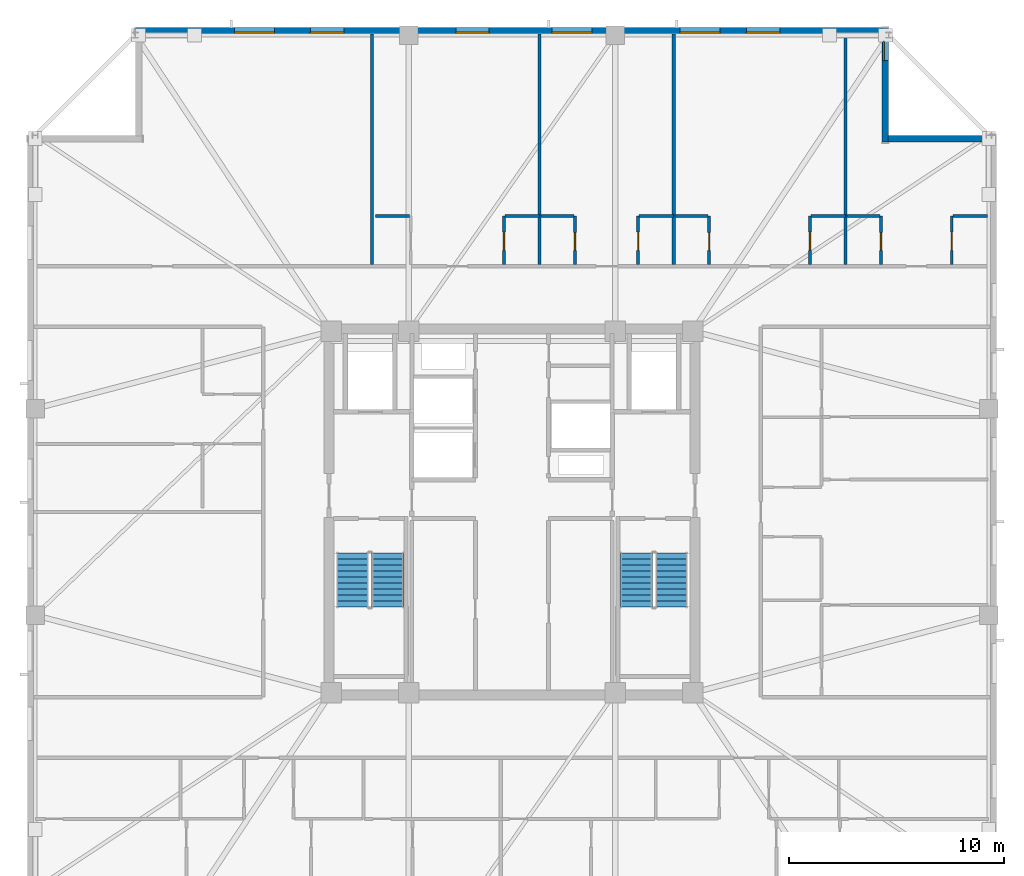
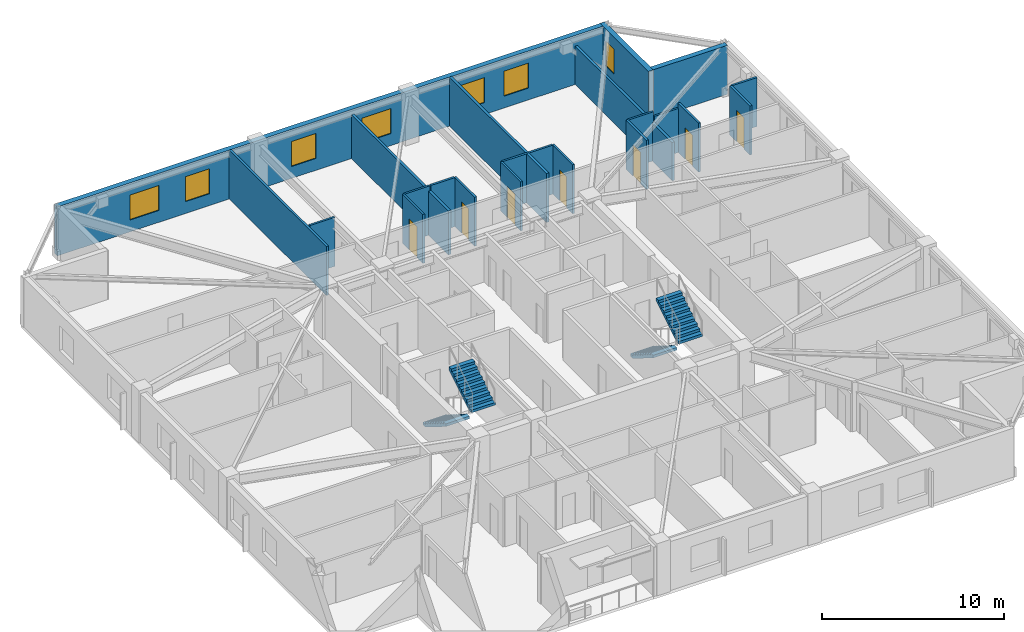
# One storey, part 11 of 15: 22 walls, 7 doors, 7 windows, 4 stair flights, 14 openings, 2 elements without a shape of their own.
"""IFC4 building model written with IfcOpenShell, lengths in metres."""

from ifc_helpers import new_model, si_unit, direction, frame, frame_2d, origin, place, context, subcontext, project, spatial, polyline, rectangle, outline, extrude, material, layer, layer_set, type_object, element, fill, aggregate, save


model = new_model("IFC4")

# Units and contexts
model_context = context("Model", 3, precision=1e-05, world=origin(), true_north=direction((0.0, 1.0)))
body_context = subcontext(model_context, "Body", "Model", "MODEL_VIEW")
ifc_project = project(units=[si_unit("LENGTHUNIT", "METRE"), si_unit("AREAUNIT", "SQUARE_METRE"), si_unit("VOLUMEUNIT", "CUBIC_METRE"), si_unit("PLANEANGLEUNIT", "RADIAN"), si_unit("MASSUNIT", "GRAM", prefix="KILO")], contexts=[model_context])

# Site, building, storey
site_placement = place(None, origin())
site = spatial("IfcSite", under=ifc_project, at=site_placement, CompositionType="ELEMENT")
building_placement = place(site_placement, origin())
building = spatial("IfcBuilding", under=site, at=building_placement, Name="Cairnveth Concourse Tower", CompositionType="ELEMENT")
storey_placement = place(building_placement, frame((0.0, 0.0, 265.5)))
storey = spatial("IfcBuildingStorey", under=building, at=storey_placement, Name="L73", CompositionType="ELEMENT", Elevation=265.5)

# Walls
ifc_material_1 = material(Name="Gypsum Plasterboard Partition", Category="gypsum")
ifc_layer_1 = layer(ifc_material_1, 0.159912109375)
ifc_layer_set_1 = layer_set([ifc_layer_1], Name="Gypsum Plasterboard Partition")
wall_type_1 = type_object("IfcWallType", Name="ACOUSTIC PARTY WALL 180", PredefinedType="PARTITIONING", material=ifc_layer_set_1)
wall_1_placement = place(storey_placement, frame((53.277587890625, 50.50244140625, 0.0), z_axis=(0.0, 0.0, 1.0), x_axis=(0.0, 1.0, 0.0)))
element("IfcWall", 1, at=wall_1_placement, inside=storey, type_object=wall_type_1, Name="Interior Wall IW-L73-070", PredefinedType="PARTITIONING", context=body_context, shape_type="SweptSolid", body=[
    extrude(rectangle(XDim=10.692626953125, YDim=0.159912109375, at=frame_2d((5.34619140625, 0.0))), origin(), (0.0, 0.0, 1.0), 2.9580078125),
])
wall_2_placement = place(storey_placement, frame((59.5048828125, 50.50244140625, 0.0), z_axis=(0.0, 0.0, 1.0), x_axis=(0.0, 1.0, 0.0)))
element("IfcWall", 2, at=wall_2_placement, inside=storey, type_object=wall_type_1, Name="Interior Wall IW-L73-075", PredefinedType="PARTITIONING", context=body_context, shape_type="SweptSolid", body=[
    extrude(rectangle(XDim=10.692626953125, YDim=0.159912109375, at=frame_2d((5.34619140625, 0.0))), origin(), (0.0, 0.0, 1.0), 3.2900390625),
])
wall_3_placement = place(storey_placement, frame((67.492431640625, 50.50244140625, 0.0), z_axis=(0.0, 0.0, 1.0), x_axis=(0.0, 1.0, 0.0)))
element("IfcWall", 3, at=wall_3_placement, inside=storey, type_object=wall_type_1, Name="Interior Wall IW-L73-080", PredefinedType="PARTITIONING", context=body_context, shape_type="SweptSolid", body=[
    extrude(rectangle(XDim=10.692626953125, YDim=0.159912109375, at=frame_2d((5.34619140625, 0.0))), origin(), (0.0, 0.0, 1.0), 2.572998046875),
])
ifc_layer_2 = layer(ifc_material_1, 0.139892578125)
ifc_layer_set_2 = layer_set([ifc_layer_2], Name="Gypsum Plasterboard Partition")
wall_type_2 = type_object("IfcWallType", Name="GYPSUM STUD PARTITION 140", PredefinedType="PARTITIONING", material=ifc_layer_set_2)
wall_4_placement = place(storey_placement, frame((45.5, 50.487548828125, 0.0), z_axis=(0.0, 0.0, 1.0), x_axis=(0.0, 1.0, 0.0)))
element("IfcWall", 4, at=wall_4_placement, inside=storey, type_object=wall_type_2, Name="Interior Wall IW-L73-065", PredefinedType="PARTITIONING", context=body_context, shape_type="SweptSolid", body=[
    extrude(rectangle(XDim=10.70751953125, YDim=0.139892578125, at=frame_2d((5.353759765625, 0.0))), origin(), (0.0, 0.0, 1.0), 3.2900390625),
])
ifc_layer_3 = layer(ifc_material_1, 0.1298828125)
ifc_layer_set_3 = layer_set([ifc_layer_3], Name="Gypsum Plasterboard Partition")
wall_type_3 = type_object("IfcWallType", Name="WET AREA PARTITION 140", PredefinedType="PLUMBINGWALL", material=ifc_layer_set_3)
wall_5_placement = place(storey_placement, frame((45.64990234375, 52.75244140625, 0.0), z_axis=(0.0, 0.0, 1.0), x_axis=(1.0, 0.0, 0.0)))
element("IfcWall", 5, at=wall_5_placement, inside=storey, type_object=wall_type_3, Name="Interior Wall IW-L73-067", PredefinedType="PLUMBINGWALL", context=body_context, shape_type="SweptSolid", body=[
    extrude(rectangle(XDim=1.60009765625, YDim=0.1298828125, at=frame_2d((0.800048828125, 0.0))), origin(), (0.0, 0.0, 1.0), 3.2900390625),
])

# Wall, opening, door
wall_6_placement = place(storey_placement, frame((51.62744140625, 50.50244140625, 0.0), z_axis=(0.0, 0.0, 1.0), x_axis=(0.0, 1.0, 0.0)))
wall_6 = element("IfcWall", 6, at=wall_6_placement, inside=storey, type_object=wall_type_3, Name="Interior Wall IW-L73-068", PredefinedType="PLUMBINGWALL", context=body_context, shape_type="SweptSolid", body=[
    extrude(rectangle(XDim=2.25, YDim=0.1298828125, at=frame_2d((1.125, 0.0))), origin(), (0.0, 0.0, 1.0), 3.2900390625),
])
opening_1_placement = place(wall_6_placement, frame((0.64990234375, 0.0, 0.0)))
opening_1 = element("IfcOpeningElement", 7, at=opening_1_placement, cuts=wall_6, Name="Opening ID20", PredefinedType="OPENING", context=body_context, shape_type="SweptSolid", body=[
    extrude(rectangle(XDim=0.85009765625, YDim=2.10009765625, at=frame_2d((0.425048828125, 1.050048828125))), frame((0.0, 0.074951171875, 0.0), z_axis=(0.0, -1.0, 0.0), x_axis=(1.0, 0.0, 0.0)), (0.0, 0.0, 1.0), 0.14990234375),
])
ifc_material_2 = material(Name="Solid Core Hardwood Timber Leaf", Category="wood")
door_type_1 = type_object("IfcDoorType", Name="INTERIOR SINGLE DOOR 850X2100", OperationType="NOTDEFINED", PredefinedType="DOOR", material=ifc_material_2)
door_1_placement = place(opening_1_placement, origin())
door_1 = element("IfcDoor", 8, at=door_1_placement, inside=storey, type_object=door_type_1, Name="L73STN1 Kitchen Door", OperationType="SINGLE_SWING_LEFT", OverallHeight=2.10009765625, OverallWidth=0.85009765625, PredefinedType="DOOR", context=body_context, shape_type="SweptSolid", body=[
    extrude(rectangle(XDim=0.85009765625, YDim=2.10009765625, at=frame_2d((0.425048828125, 1.050048828125))), frame((0.0, 0.02490234375, 0.0), z_axis=(0.0, -1.0, 0.0), x_axis=(1.0, 0.0, 0.0)), (0.0, 0.0, 1.0), 0.050048828125),
])
fill(opening_1, door_1)

# Wall
wall_7_placement = place(storey_placement, frame((51.677490234375, 52.75244140625, 0.0), z_axis=(0.0, 0.0, 1.0), x_axis=(1.0, 0.0, 0.0)))
element("IfcWall", 9, at=wall_7_placement, inside=storey, type_object=wall_type_3, Name="Interior Wall IW-L73-069", PredefinedType="PLUMBINGWALL", context=body_context, shape_type="SweptSolid", body=[
    extrude(rectangle(XDim=1.60009765625, YDim=0.1298828125, at=frame_2d((0.800048828125, 0.0))), origin(), (0.0, 0.0, 1.0), 3.2900390625),
])

# Wall, opening, door
wall_8_placement = place(storey_placement, frame((54.927490234375, 50.50244140625, 0.0), z_axis=(0.0, 0.0, 1.0), x_axis=(0.0, 1.0, 0.0)))
wall_8 = element("IfcWall", 10, at=wall_8_placement, inside=storey, type_object=wall_type_3, Name="Interior Wall IW-L73-071", PredefinedType="PLUMBINGWALL", context=body_context, shape_type="SweptSolid", body=[
    extrude(rectangle(XDim=2.25, YDim=0.1298828125, at=frame_2d((1.125, 0.0))), origin(), (0.0, 0.0, 1.0), 3.2900390625),
])
opening_2_placement = place(wall_8_placement, frame((0.64990234375, 0.0, 0.0)))
opening_2 = element("IfcOpeningElement", 11, at=opening_2_placement, cuts=wall_8, Name="Opening ID22", PredefinedType="OPENING", context=body_context, shape_type="SweptSolid", body=[
    extrude(rectangle(XDim=0.820068359375, YDim=2.10009765625, at=frame_2d((0.41015625, 1.050048828125))), frame((0.0, 0.074951171875, 0.0), z_axis=(0.0, -1.0, 0.0), x_axis=(1.0, 0.0, 0.0)), (0.0, 0.0, 1.0), 0.14990234375),
])
door_type_2 = type_object("IfcDoorType", Name="INTERIOR WC DOOR 820X2100", OperationType="NOTDEFINED", PredefinedType="DOOR", material=ifc_material_2)
door_2_placement = place(opening_2_placement, origin())
door_2 = element("IfcDoor", 12, at=door_2_placement, inside=storey, type_object=door_type_2, Name="L73STN2 Bathroom Door", OperationType="SINGLE_SWING_LEFT", OverallHeight=2.10009765625, OverallWidth=0.820068359375, PredefinedType="DOOR", context=body_context, shape_type="SweptSolid", body=[
    extrude(rectangle(XDim=0.820068359375, YDim=2.10009765625, at=frame_2d((0.41015625, 1.050048828125))), frame((0.0, 0.02490234375, 0.0), z_axis=(0.0, -1.0, 0.0), x_axis=(1.0, 0.0, 0.0)), (0.0, 0.0, 1.0), 0.050048828125),
])
fill(opening_2, door_2)

# Wall
wall_9_placement = place(storey_placement, frame((53.342529296875, 52.75244140625, 0.0), z_axis=(0.0, 0.0, 1.0), x_axis=(1.0, 0.0, 0.0)))
element("IfcWall", 13, at=wall_9_placement, inside=storey, type_object=wall_type_3, Name="Interior Wall IW-L73-072", PredefinedType="PLUMBINGWALL", context=body_context, shape_type="SweptSolid", body=[
    extrude(rectangle(XDim=1.534912109375, YDim=0.1298828125, at=frame_2d((0.767578125, 0.0))), origin(), (0.0, 0.0, 1.0), 3.2900390625),
])

# Wall, opening, door
wall_10_placement = place(storey_placement, frame((57.85498046875, 50.50244140625, 0.0), z_axis=(0.0, 0.0, 1.0), x_axis=(0.0, 1.0, 0.0)))
wall_10 = element("IfcWall", 14, at=wall_10_placement, inside=storey, type_object=wall_type_3, Name="Interior Wall IW-L73-073", PredefinedType="PLUMBINGWALL", context=body_context, shape_type="SweptSolid", body=[
    extrude(rectangle(XDim=2.25, YDim=0.1298828125, at=frame_2d((1.125, 0.0))), origin(), (0.0, 0.0, 1.0), 3.2900390625),
])
opening_3_placement = place(wall_10_placement, frame((0.64990234375, 0.0, 0.0)))
opening_3 = element("IfcOpeningElement", 15, at=opening_3_placement, cuts=wall_10, Name="Opening ID20", PredefinedType="OPENING", context=body_context, shape_type="SweptSolid", body=[
    extrude(rectangle(XDim=0.85009765625, YDim=2.10009765625, at=frame_2d((0.425048828125, 1.050048828125))), frame((0.0, 0.074951171875, 0.0), z_axis=(0.0, -1.0, 0.0), x_axis=(1.0, 0.0, 0.0)), (0.0, 0.0, 1.0), 0.14990234375),
])
door_3_placement = place(opening_3_placement, origin())
door_3 = element("IfcDoor", 16, at=door_3_placement, inside=storey, type_object=door_type_1, Name="L73STN2 Kitchen Door", OperationType="SINGLE_SWING_RIGHT", OverallHeight=2.10009765625, OverallWidth=0.85009765625, PredefinedType="DOOR", context=body_context, shape_type="SweptSolid", body=[
    extrude(rectangle(XDim=0.85009765625, YDim=2.10009765625, at=frame_2d((0.425048828125, 1.050048828125))), frame((0.0, 0.02490234375, 0.0), z_axis=(0.0, -1.0, 0.0), x_axis=(1.0, 0.0, 0.0)), (0.0, 0.0, 1.0), 0.050048828125),
])
fill(opening_3, door_3)

# Wall
wall_11_placement = place(storey_placement, frame((57.905029296875, 52.75244140625, 0.0), z_axis=(0.0, 0.0, 1.0), x_axis=(1.0, 0.0, 0.0)))
element("IfcWall", 17, at=wall_11_placement, inside=storey, type_object=wall_type_3, Name="Interior Wall IW-L73-074", PredefinedType="PLUMBINGWALL", context=body_context, shape_type="SweptSolid", body=[
    extrude(rectangle(XDim=1.599853515625, YDim=0.1298828125, at=frame_2d((0.7998046875, 0.0))), origin(), (0.0, 0.0, 1.0), 3.2900390625),
])

# Wall, opening, door
wall_12_placement = place(storey_placement, frame((61.155029296875, 50.50244140625, 0.0), z_axis=(0.0, 0.0, 1.0), x_axis=(0.0, 1.0, 0.0)))
wall_12 = element("IfcWall", 18, at=wall_12_placement, inside=storey, type_object=wall_type_3, Name="Interior Wall IW-L73-076", PredefinedType="PLUMBINGWALL", context=body_context, shape_type="SweptSolid", body=[
    extrude(rectangle(XDim=2.25, YDim=0.1298828125, at=frame_2d((1.125, 0.0))), origin(), (0.0, 0.0, 1.0), 3.2900390625),
])
opening_4_placement = place(wall_12_placement, frame((0.64990234375, 0.0, 0.0)))
opening_4 = element("IfcOpeningElement", 19, at=opening_4_placement, cuts=wall_12, Name="Opening ID22", PredefinedType="OPENING", context=body_context, shape_type="SweptSolid", body=[
    extrude(rectangle(XDim=0.820068359375, YDim=2.10009765625, at=frame_2d((0.41015625, 1.050048828125))), frame((0.0, 0.074951171875, 0.0), z_axis=(0.0, -1.0, 0.0), x_axis=(1.0, 0.0, 0.0)), (0.0, 0.0, 1.0), 0.14990234375),
])
door_4_placement = place(opening_4_placement, origin())
door_4 = element("IfcDoor", 20, at=door_4_placement, inside=storey, type_object=door_type_2, Name="L73STN3 Bathroom Door", OperationType="SINGLE_SWING_RIGHT", OverallHeight=2.10009765625, OverallWidth=0.820068359375, PredefinedType="DOOR", context=body_context, shape_type="SweptSolid", body=[
    extrude(rectangle(XDim=0.820068359375, YDim=2.10009765625, at=frame_2d((0.41015625, 1.050048828125))), frame((0.0, 0.02490234375, 0.0), z_axis=(0.0, -1.0, 0.0), x_axis=(1.0, 0.0, 0.0)), (0.0, 0.0, 1.0), 0.050048828125),
])
fill(opening_4, door_4)

# Wall
wall_13_placement = place(storey_placement, frame((59.570068359375, 52.75244140625, 0.0), z_axis=(0.0, 0.0, 1.0), x_axis=(1.0, 0.0, 0.0)))
element("IfcWall", 21, at=wall_13_placement, inside=storey, type_object=wall_type_3, Name="Interior Wall IW-L73-077", PredefinedType="PLUMBINGWALL", context=body_context, shape_type="SweptSolid", body=[
    extrude(rectangle(XDim=1.534912109375, YDim=0.1298828125, at=frame_2d((0.767578125, 0.0))), origin(), (0.0, 0.0, 1.0), 3.2900390625),
])

# Wall, opening, door
wall_14_placement = place(storey_placement, frame((65.842529296875, 50.50244140625, 0.0), z_axis=(0.0, 0.0, 1.0), x_axis=(0.0, 1.0, 0.0)))
wall_14 = element("IfcWall", 22, at=wall_14_placement, inside=storey, type_object=wall_type_3, Name="Interior Wall IW-L73-078", PredefinedType="PLUMBINGWALL", context=body_context, shape_type="SweptSolid", body=[
    extrude(rectangle(XDim=2.25, YDim=0.1298828125, at=frame_2d((1.125, 0.0))), origin(), (0.0, 0.0, 1.0), 3.2900390625),
])
opening_5_placement = place(wall_14_placement, frame((0.64990234375, 0.0, 0.0)))
opening_5 = element("IfcOpeningElement", 23, at=opening_5_placement, cuts=wall_14, Name="Opening ID20", PredefinedType="OPENING", context=body_context, shape_type="SweptSolid", body=[
    extrude(rectangle(XDim=0.85009765625, YDim=2.10009765625, at=frame_2d((0.425048828125, 1.050048828125))), frame((0.0, 0.074951171875, 0.0), z_axis=(0.0, -1.0, 0.0), x_axis=(1.0, 0.0, 0.0)), (0.0, 0.0, 1.0), 0.14990234375),
])
door_5_placement = place(opening_5_placement, origin())
door_5 = element("IfcDoor", 24, at=door_5_placement, inside=storey, type_object=door_type_1, Name="L73STN3 Kitchen Door", OperationType="SINGLE_SWING_LEFT", OverallHeight=2.10009765625, OverallWidth=0.85009765625, PredefinedType="DOOR", context=body_context, shape_type="SweptSolid", body=[
    extrude(rectangle(XDim=0.85009765625, YDim=2.10009765625, at=frame_2d((0.425048828125, 1.050048828125))), frame((0.0, 0.02490234375, 0.0), z_axis=(0.0, -1.0, 0.0), x_axis=(1.0, 0.0, 0.0)), (0.0, 0.0, 1.0), 0.050048828125),
])
fill(opening_5, door_5)

# Wall
wall_15_placement = place(storey_placement, frame((65.892578125, 52.75244140625, 0.0), z_axis=(0.0, 0.0, 1.0), x_axis=(1.0, 0.0, 0.0)))
element("IfcWall", 25, at=wall_15_placement, inside=storey, type_object=wall_type_3, Name="Interior Wall IW-L73-079", PredefinedType="PLUMBINGWALL", context=body_context, shape_type="SweptSolid", body=[
    extrude(rectangle(XDim=1.599853515625, YDim=0.1298828125, at=frame_2d((0.7998046875, 0.0))), origin(), (0.0, 0.0, 1.0), 3.2900390625),
])

# Wall, opening, door
wall_16_placement = place(storey_placement, frame((69.142578125, 50.50244140625, 0.0), z_axis=(0.0, 0.0, 1.0), x_axis=(0.0, 1.0, 0.0)))
wall_16 = element("IfcWall", 26, at=wall_16_placement, inside=storey, type_object=wall_type_3, Name="Interior Wall IW-L73-081", PredefinedType="PLUMBINGWALL", context=body_context, shape_type="SweptSolid", body=[
    extrude(rectangle(XDim=2.25, YDim=0.1298828125, at=frame_2d((1.125, 0.0))), origin(), (0.0, 0.0, 1.0), 3.2900390625),
])
opening_6_placement = place(wall_16_placement, frame((0.64990234375, 0.0, 0.0)))
opening_6 = element("IfcOpeningElement", 27, at=opening_6_placement, cuts=wall_16, Name="Opening ID22", PredefinedType="OPENING", context=body_context, shape_type="SweptSolid", body=[
    extrude(rectangle(XDim=0.820068359375, YDim=2.10009765625, at=frame_2d((0.41015625, 1.050048828125))), frame((0.0, 0.074951171875, 0.0), z_axis=(0.0, -1.0, 0.0), x_axis=(1.0, 0.0, 0.0)), (0.0, 0.0, 1.0), 0.14990234375),
])
door_6_placement = place(opening_6_placement, origin())
door_6 = element("IfcDoor", 28, at=door_6_placement, inside=storey, type_object=door_type_2, Name="L73STN4 Bathroom Door", OperationType="SINGLE_SWING_LEFT", OverallHeight=2.10009765625, OverallWidth=0.820068359375, PredefinedType="DOOR", context=body_context, shape_type="SweptSolid", body=[
    extrude(rectangle(XDim=0.820068359375, YDim=2.10009765625, at=frame_2d((0.41015625, 1.050048828125))), frame((0.0, 0.02490234375, 0.0), z_axis=(0.0, -1.0, 0.0), x_axis=(1.0, 0.0, 0.0)), (0.0, 0.0, 1.0), 0.050048828125),
])
fill(opening_6, door_6)

# Wall
wall_17_placement = place(storey_placement, frame((67.5576171875, 52.75244140625, 0.0), z_axis=(0.0, 0.0, 1.0), x_axis=(1.0, 0.0, 0.0)))
element("IfcWall", 29, at=wall_17_placement, inside=storey, type_object=wall_type_3, Name="Interior Wall IW-L73-082", PredefinedType="PLUMBINGWALL", context=body_context, shape_type="SweptSolid", body=[
    extrude(rectangle(XDim=1.534912109375, YDim=0.1298828125, at=frame_2d((0.767578125, 0.0))), origin(), (0.0, 0.0, 1.0), 2.9580078125),
])

# Wall, opening, door
wall_18_placement = place(storey_placement, frame((72.429931640625, 50.50244140625, 0.0), z_axis=(0.0, 0.0, 1.0), x_axis=(0.0, 1.0, 0.0)))
wall_18 = element("IfcWall", 30, at=wall_18_placement, inside=storey, type_object=wall_type_3, Name="Interior Wall IW-L73-083", PredefinedType="PLUMBINGWALL", context=body_context, shape_type="SweptSolid", body=[
    extrude(rectangle(XDim=2.25, YDim=0.1298828125, at=frame_2d((1.125, 0.0))), origin(), (0.0, 0.0, 1.0), 3.2900390625),
])
opening_7_placement = place(wall_18_placement, frame((0.64990234375, 0.0, 0.0)))
opening_7 = element("IfcOpeningElement", 31, at=opening_7_placement, cuts=wall_18, Name="Opening ID20", PredefinedType="OPENING", context=body_context, shape_type="SweptSolid", body=[
    extrude(rectangle(XDim=0.85009765625, YDim=2.10009765625, at=frame_2d((0.425048828125, 1.050048828125))), frame((0.0, 0.074951171875, 0.0), z_axis=(0.0, -1.0, 0.0), x_axis=(1.0, 0.0, 0.0)), (0.0, 0.0, 1.0), 0.14990234375),
])
door_7_placement = place(opening_7_placement, origin())
door_7 = element("IfcDoor", 32, at=door_7_placement, inside=storey, type_object=door_type_1, Name="L73STN4 Kitchen Door", OperationType="SINGLE_SWING_RIGHT", OverallHeight=2.10009765625, OverallWidth=0.85009765625, PredefinedType="DOOR", context=body_context, shape_type="SweptSolid", body=[
    extrude(rectangle(XDim=0.85009765625, YDim=2.10009765625, at=frame_2d((0.425048828125, 1.050048828125))), frame((0.0, 0.02490234375, 0.0), z_axis=(0.0, -1.0, 0.0), x_axis=(1.0, 0.0, 0.0)), (0.0, 0.0, 1.0), 0.050048828125),
])
fill(opening_7, door_7)

# Wall
wall_19_placement = place(storey_placement, frame((72.47998046875, 52.75244140625, 0.0), z_axis=(0.0, 0.0, 1.0), x_axis=(1.0, 0.0, 0.0)))
element("IfcWall", 33, at=wall_19_placement, inside=storey, type_object=wall_type_3, Name="Interior Wall IW-L73-084", PredefinedType="PLUMBINGWALL", context=body_context, shape_type="SweptSolid", body=[
    extrude(rectangle(XDim=1.60009765625, YDim=0.1298828125, at=frame_2d((0.800048828125, 0.0))), origin(), (0.0, 0.0, 1.0), 3.2900390625),
])

# Wall, openings, windows
ifc_material_3 = material(Name="Melbourne Buff Fired Clay Brick Masonry", Category="masonry")
ifc_layer_4 = layer(ifc_material_3, 0.320068359375)
ifc_layer_set_4 = layer_set([ifc_layer_4], Name="Melbourne Buff Fired Clay Brick Masonry")
wall_type_4 = type_object("IfcWallType", Name="ZONE 3 BRICK PIER SPANDREL WALL 320", PredefinedType="SOLIDWALL", material=ifc_layer_set_4)
wall_20_placement = place(storey_placement, frame((34.5, 61.340087890625, 0.0), z_axis=(0.0, 0.0, 1.0), x_axis=(1.0, 0.0, 0.0)))
wall_20 = element("IfcWall", 34, at=wall_20_placement, inside=storey, type_object=wall_type_4, Name="Exterior Wall EW-L73-S06", PredefinedType="SOLIDWALL", context=body_context, shape_type="SweptSolid", body=[
    extrude(rectangle(XDim=34.701904296875, YDim=0.320068359375, at=frame_2d((17.35107421875, 0.0))), origin(), (0.0, 0.0, 1.0), 3.2900390625),
])
opening_8_placement = place(wall_20_placement, frame((4.612548828125, 0.0, 0.800048828125)))
opening_8 = element("IfcOpeningElement", 35, at=opening_8_placement, cuts=wall_20, Name="Opening W08", PredefinedType="OPENING", context=body_context, shape_type="SweptSolid", body=[
    extrude(rectangle(XDim=1.85009765625, YDim=1.677978515625, at=frame_2d((0.925048828125, 0.8388671875))), frame((0.0, 0.169921875, 0.0), z_axis=(0.0, -1.0, 0.0), x_axis=(1.0, 0.0, 0.0)), (0.0, 0.0, 1.0), 0.340087890625),
])
opening_9_placement = place(wall_20_placement, frame((8.137939453125, 0.0, 0.800048828125)))
opening_9 = element("IfcOpeningElement", 36, at=opening_9_placement, cuts=wall_20, Name="Opening W07", PredefinedType="OPENING", context=body_context, shape_type="SweptSolid", body=[
    extrude(rectangle(XDim=1.550048828125, YDim=1.677978515625, at=frame_2d((0.77490234375, 0.8388671875))), frame((0.0, 0.169921875, 0.0), z_axis=(0.0, -1.0, 0.0), x_axis=(1.0, 0.0, 0.0)), (0.0, 0.0, 1.0), 0.340087890625),
])
opening_10_placement = place(wall_20_placement, frame((14.888427734375, 0.0, 0.800048828125)))
opening_10 = element("IfcOpeningElement", 37, at=opening_10_placement, cuts=wall_20, Name="Opening W07", PredefinedType="OPENING", context=body_context, shape_type="SweptSolid", body=[
    extrude(rectangle(XDim=1.550048828125, YDim=1.677978515625, at=frame_2d((0.77490234375, 0.8388671875))), frame((0.0, 0.169921875, 0.0), z_axis=(0.0, -1.0, 0.0), x_axis=(1.0, 0.0, 0.0)), (0.0, 0.0, 1.0), 0.340087890625),
])
opening_11_placement = place(wall_20_placement, frame((19.363525390625, 0.0, 0.800048828125)))
opening_11 = element("IfcOpeningElement", 38, at=opening_11_placement, cuts=wall_20, Name="Opening W08", PredefinedType="OPENING", context=body_context, shape_type="SweptSolid", body=[
    extrude(rectangle(XDim=1.85009765625, YDim=1.677978515625, at=frame_2d((0.925048828125, 0.8388671875))), frame((0.0, 0.169921875, 0.0), z_axis=(0.0, -1.0, 0.0), x_axis=(1.0, 0.0, 0.0)), (0.0, 0.0, 1.0), 0.340087890625),
])
opening_12_placement = place(wall_20_placement, frame((25.314208984375, 0.0, 0.800048828125)))
opening_12 = element("IfcOpeningElement", 39, at=opening_12_placement, cuts=wall_20, Name="Opening W08", PredefinedType="OPENING", context=body_context, shape_type="SweptSolid", body=[
    extrude(rectangle(XDim=1.85009765625, YDim=1.677978515625, at=frame_2d((0.925048828125, 0.8388671875))), frame((0.0, 0.169921875, 0.0), z_axis=(0.0, -1.0, 0.0), x_axis=(1.0, 0.0, 0.0)), (0.0, 0.0, 1.0), 0.340087890625),
])
opening_13_placement = place(wall_20_placement, frame((28.389404296875, 0.0, 0.800048828125)))
opening_13 = element("IfcOpeningElement", 40, at=opening_13_placement, cuts=wall_20, Name="Opening W07", PredefinedType="OPENING", context=body_context, shape_type="SweptSolid", body=[
    extrude(rectangle(XDim=1.550048828125, YDim=1.677978515625, at=frame_2d((0.77490234375, 0.8388671875))), frame((0.0, 0.169921875, 0.0), z_axis=(0.0, -1.0, 0.0), x_axis=(1.0, 0.0, 0.0)), (0.0, 0.0, 1.0), 0.340087890625),
])
ifc_material_4 = material(Name="Double Glazed Low-E Clear Glass", Category="glass")
window_type_1 = type_object("IfcWindowType", Name="DEEP-SET APARTMENT LIVING WINDOW 1850X1850", PartitioningType="DOUBLE_PANEL_VERTICAL", PredefinedType="WINDOW", material=ifc_material_4)
window_1_placement = place(opening_8_placement, origin())
window_1 = element("IfcWindow", 41, at=window_1_placement, inside=storey, type_object=window_type_1, Name="Gothic Lancet Window L73-6-1", OverallHeight=1.677978515625, OverallWidth=1.85009765625, PartitioningType="SINGLE_PANEL", PredefinedType="WINDOW", context=body_context, shape_type="SweptSolid", body=[
    extrude(rectangle(XDim=1.85009765625, YDim=1.677978515625, at=frame_2d((0.925048828125, 0.8388671875))), frame((0.0, -0.050048828125, 0.0), z_axis=(0.0, -1.0, 0.0), x_axis=(1.0, 0.0, 0.0)), (0.0, 0.0, 1.0), 0.06005859375),
])
fill(opening_8, window_1)
window_2_placement = place(opening_11_placement, origin())
window_2 = element("IfcWindow", 42, at=window_2_placement, inside=storey, type_object=window_type_1, Name="Gothic Lancet Window L73-6-5", OverallHeight=1.677978515625, OverallWidth=1.85009765625, PartitioningType="SINGLE_PANEL", PredefinedType="WINDOW", context=body_context, shape_type="SweptSolid", body=[
    extrude(rectangle(XDim=1.85009765625, YDim=1.677978515625, at=frame_2d((0.925048828125, 0.8388671875))), frame((0.0, -0.050048828125, 0.0), z_axis=(0.0, -1.0, 0.0), x_axis=(1.0, 0.0, 0.0)), (0.0, 0.0, 1.0), 0.06005859375),
])
fill(opening_11, window_2)
window_3_placement = place(opening_12_placement, origin())
window_3 = element("IfcWindow", 43, at=window_3_placement, inside=storey, type_object=window_type_1, Name="Gothic Lancet Window L73-6-7", OverallHeight=1.677978515625, OverallWidth=1.85009765625, PartitioningType="SINGLE_PANEL", PredefinedType="WINDOW", context=body_context, shape_type="SweptSolid", body=[
    extrude(rectangle(XDim=1.85009765625, YDim=1.677978515625, at=frame_2d((0.925048828125, 0.8388671875))), frame((0.0, -0.050048828125, 0.0), z_axis=(0.0, -1.0, 0.0), x_axis=(1.0, 0.0, 0.0)), (0.0, 0.0, 1.0), 0.06005859375),
])
fill(opening_12, window_3)
window_type_2 = type_object("IfcWindowType", Name="DEEP-SET APARTMENT WINDOW 1550X1800", PartitioningType="DOUBLE_PANEL_VERTICAL", PredefinedType="WINDOW", material=ifc_material_4)
window_4_placement = place(opening_9_placement, origin())
window_4 = element("IfcWindow", 44, at=window_4_placement, inside=storey, type_object=window_type_2, Name="Gothic Lancet Window L73-6-2", OverallHeight=1.677978515625, OverallWidth=1.550048828125, PartitioningType="SINGLE_PANEL", PredefinedType="WINDOW", context=body_context, shape_type="SweptSolid", body=[
    extrude(rectangle(XDim=1.550048828125, YDim=1.677978515625, at=frame_2d((0.77490234375, 0.8388671875))), frame((0.0, -0.050048828125, 0.0), z_axis=(0.0, -1.0, 0.0), x_axis=(1.0, 0.0, 0.0)), (0.0, 0.0, 1.0), 0.06005859375),
])
fill(opening_9, window_4)
window_5_placement = place(opening_10_placement, origin())
window_5 = element("IfcWindow", 45, at=window_5_placement, inside=storey, type_object=window_type_2, Name="Gothic Lancet Window L73-6-4", OverallHeight=1.677978515625, OverallWidth=1.550048828125, PartitioningType="SINGLE_PANEL", PredefinedType="WINDOW", context=body_context, shape_type="SweptSolid", body=[
    extrude(rectangle(XDim=1.550048828125, YDim=1.677978515625, at=frame_2d((0.77490234375, 0.8388671875))), frame((0.0, -0.050048828125, 0.0), z_axis=(0.0, -1.0, 0.0), x_axis=(1.0, 0.0, 0.0)), (0.0, 0.0, 1.0), 0.06005859375),
])
fill(opening_10, window_5)
window_6_placement = place(opening_13_placement, origin())
window_6 = element("IfcWindow", 46, at=window_6_placement, inside=storey, type_object=window_type_2, Name="Gothic Lancet Window L73-6-8", OverallHeight=1.677978515625, OverallWidth=1.550048828125, PartitioningType="SINGLE_PANEL", PredefinedType="WINDOW", context=body_context, shape_type="SweptSolid", body=[
    extrude(rectangle(XDim=1.550048828125, YDim=1.677978515625, at=frame_2d((0.77490234375, 0.8388671875))), frame((0.0, -0.050048828125, 0.0), z_axis=(0.0, -1.0, 0.0), x_axis=(1.0, 0.0, 0.0)), (0.0, 0.0, 1.0), 0.06005859375),
])
fill(opening_13, window_6)

# Wall, opening, window
wall_21_placement = place(storey_placement, frame((69.340087890625, 61.5, 0.0), z_axis=(0.0, 0.0, 1.0), x_axis=(0.0, -1.0, 0.0)))
wall_21 = element("IfcWall", 47, at=wall_21_placement, inside=storey, type_object=wall_type_4, Name="Exterior Wall EW-L73-S07", PredefinedType="SOLIDWALL", context=body_context, shape_type="SweptSolid", body=[
    extrude(rectangle(XDim=5.320068359375, YDim=0.320068359375, at=frame_2d((2.66015625, 0.0))), origin(), (0.0, 0.0, 1.0), 3.2900390625),
])
opening_14_placement = place(wall_21_placement, frame((0.6298828125, 0.0, 0.800048828125)))
opening_14 = element("IfcOpeningElement", 48, at=opening_14_placement, cuts=wall_21, Name="Opening W13", PredefinedType="OPENING", context=body_context, shape_type="SweptSolid", body=[
    extrude(rectangle(XDim=0.89990234375, YDim=1.677978515625, at=frame_2d((0.449951171875, 0.8388671875))), frame((0.0, 0.169921875, 0.0), z_axis=(0.0, -1.0, 0.0), x_axis=(1.0, 0.0, 0.0)), (0.0, 0.0, 1.0), 0.340087890625),
])
window_type_3 = type_object("IfcWindowType", Name="DEEP-SET BEDROOM LANCET WINDOW 900X1750", PartitioningType="DOUBLE_PANEL_VERTICAL", PredefinedType="WINDOW", material=ifc_material_4)
window_7_placement = place(opening_14_placement, origin())
window_7 = element("IfcWindow", 49, at=window_7_placement, inside=storey, type_object=window_type_3, Name="Dwelling Lancet Window L73-DW3", OverallHeight=1.677978515625, OverallWidth=0.89990234375, PartitioningType="SINGLE_PANEL", PredefinedType="WINDOW", context=body_context, shape_type="SweptSolid", body=[
    extrude(rectangle(XDim=0.89990234375, YDim=1.677978515625, at=frame_2d((0.449951171875, 0.8388671875))), frame((0.0, -0.0400390625, 0.0), z_axis=(0.0, -1.0, 0.0), x_axis=(1.0, 0.0, 0.0)), (0.0, 0.0, 1.0), 0.06005859375),
])
fill(opening_14, window_7)

# Wall
wall_22_placement = place(storey_placement, frame((69.47802734375, 56.340087890625, 0.0), z_axis=(0.0, 0.0, 1.0), x_axis=(1.0, 0.0, 0.0)))
element("IfcWall", 50, at=wall_22_placement, inside=storey, type_object=wall_type_4, Name="Exterior Wall EW-L73-S08", PredefinedType="SOLIDWALL", context=body_context, shape_type="SweptSolid", body=[
    extrude(rectangle(XDim=4.723876953125, YDim=0.320068359375, at=frame_2d((2.36181640625, 0.0))), origin(), (0.0, 0.0, 1.0), 3.2900390625),
])

# Stair, stair flights
ifc_material_5 = material(Name="Precast concrete N50 (50 MPa)", Category="concrete")
stair_type = type_object("IfcStairType", Name="CORE DOG-LEG FIRE STAIR 1500", PredefinedType="HALF_TURN_STAIR", material=ifc_material_5)
stair_1_placement = place(storey_placement, origin())
stair_1 = element("IfcStair", 51, at=stair_1_placement, inside=storey, type_object=stair_type, Name="L73 Fire-Isolated Stair ST-1", PredefinedType="HALF_TURN_STAIR")
stair_flight_type = type_object("IfcStairFlightType", Name="PRECAST CONCRETE STAIR FLIGHT 1500", PredefinedType="STRAIGHT", material=ifc_material_5)
stair_flight_1_placement = place(storey_placement, frame((44.590087890625, 37.10009765625, 0.0), z_axis=(0.0, 0.0, 1.0), x_axis=(0.0, -1.0, 0.0)))
stair_flight_1 = element("IfcStairFlight", 52, at=stair_flight_1_placement, type_object=stair_flight_type, Name="ST-1 flight 1", NumberOfRisers=10, NumberOfTreads=9, PredefinedType="STRAIGHT", RiserHeight=0.175, TreadLength=0.28, context=body_context, shape_type="SweptSolid", body=[
    extrude(outline(polyline([(0.0, 0.0), (0.0, 0.175048828125), (0.280029296875, 0.175048828125), (0.280029296875, 0.35009765625), (0.56005859375, 0.35009765625), (0.56005859375, 0.52490234375), (0.840087890625, 0.52490234375), (0.840087890625, 0.699951171875), (1.1201171875, 0.699951171875), (1.1201171875, 0.875), (1.39990234375, 0.875), (1.39990234375, 1.050048828125), (1.679931640625, 1.050048828125), (1.679931640625, 1.22509765625), (1.9599609375, 1.22509765625), (1.9599609375, 1.39990234375), (2.239990234375, 1.39990234375), (2.239990234375, 1.574951171875), (2.52001953125, 1.574951171875), (2.52001953125, 1.75), (2.52001953125, 1.398193359375), (0.28271484375, 0.0), (0.0, 0.0)])), frame((0.0, 0.75, 0.0), z_axis=(0.0, -1.0, 0.0), x_axis=(1.0, 0.0, 0.0)), (0.0, 0.0, 1.0), 1.5),
])
stair_flight_2_placement = place(storey_placement, frame((46.22998046875, 34.580078125, 1.75), z_axis=(0.0, 0.0, 1.0), x_axis=(0.0, 1.0, 0.0)))
stair_flight_2 = element("IfcStairFlight", 53, at=stair_flight_2_placement, type_object=stair_flight_type, Name="ST-1 flight 2", NumberOfRisers=10, NumberOfTreads=9, PredefinedType="STRAIGHT", RiserHeight=0.175, TreadLength=0.28, context=body_context, shape_type="SweptSolid", body=[
    extrude(outline(polyline([(0.0, 0.0), (0.0, 0.175048828125), (0.280029296875, 0.175048828125), (0.280029296875, 0.35009765625), (0.56005859375, 0.35009765625), (0.56005859375, 0.52490234375), (0.840087890625, 0.52490234375), (0.840087890625, 0.699951171875), (1.1201171875, 0.699951171875), (1.1201171875, 0.875), (1.39990234375, 0.875), (1.39990234375, 1.050048828125), (1.679931640625, 1.050048828125), (1.679931640625, 1.22509765625), (1.9599609375, 1.22509765625), (1.9599609375, 1.39990234375), (2.239990234375, 1.39990234375), (2.239990234375, 1.574951171875), (2.52001953125, 1.574951171875), (2.52001953125, 1.75), (2.52001953125, 1.398193359375), (0.28271484375, 0.0), (0.0, 0.0)])), frame((0.0, 0.75, 0.0), z_axis=(0.0, -1.0, 0.0), x_axis=(1.0, 0.0, 0.0)), (0.0, 0.0, 1.0), 1.5),
])
aggregate(stair_1, [stair_flight_1, stair_flight_2])

stair_2_placement = place(storey_placement, origin())
stair_2 = element("IfcStair", 54, at=stair_2_placement, inside=storey, type_object=stair_type, Name="L73 Fire-Isolated Stair ST-2", PredefinedType="HALF_TURN_STAIR")
stair_flight_3_placement = place(storey_placement, frame((57.77001953125, 37.10009765625, 0.0), z_axis=(0.0, 0.0, 1.0), x_axis=(0.0, -1.0, 0.0)))
stair_flight_3 = element("IfcStairFlight", 55, at=stair_flight_3_placement, type_object=stair_flight_type, Name="ST-2 flight 1", NumberOfRisers=10, NumberOfTreads=9, PredefinedType="STRAIGHT", RiserHeight=0.175, TreadLength=0.28, context=body_context, shape_type="SweptSolid", body=[
    extrude(outline(polyline([(0.0, 0.0), (0.0, 0.175048828125), (0.280029296875, 0.175048828125), (0.280029296875, 0.35009765625), (0.56005859375, 0.35009765625), (0.56005859375, 0.52490234375), (0.840087890625, 0.52490234375), (0.840087890625, 0.699951171875), (1.1201171875, 0.699951171875), (1.1201171875, 0.875), (1.39990234375, 0.875), (1.39990234375, 1.050048828125), (1.679931640625, 1.050048828125), (1.679931640625, 1.22509765625), (1.9599609375, 1.22509765625), (1.9599609375, 1.39990234375), (2.239990234375, 1.39990234375), (2.239990234375, 1.574951171875), (2.52001953125, 1.574951171875), (2.52001953125, 1.75), (2.52001953125, 1.398193359375), (0.28271484375, 0.0), (0.0, 0.0)])), frame((0.0, 0.75, 0.0), z_axis=(0.0, -1.0, 0.0), x_axis=(1.0, 0.0, 0.0)), (0.0, 0.0, 1.0), 1.5),
])
stair_flight_4_placement = place(storey_placement, frame((59.409912109375, 34.580078125, 1.75), z_axis=(0.0, 0.0, 1.0), x_axis=(0.0, 1.0, 0.0)))
stair_flight_4 = element("IfcStairFlight", 56, at=stair_flight_4_placement, type_object=stair_flight_type, Name="ST-2 flight 2", NumberOfRisers=10, NumberOfTreads=9, PredefinedType="STRAIGHT", RiserHeight=0.175, TreadLength=0.28, context=body_context, shape_type="SweptSolid", body=[
    extrude(outline(polyline([(0.0, 0.0), (0.0, 0.175048828125), (0.280029296875, 0.175048828125), (0.280029296875, 0.35009765625), (0.56005859375, 0.35009765625), (0.56005859375, 0.52490234375), (0.840087890625, 0.52490234375), (0.840087890625, 0.699951171875), (1.1201171875, 0.699951171875), (1.1201171875, 0.875), (1.39990234375, 0.875), (1.39990234375, 1.050048828125), (1.679931640625, 1.050048828125), (1.679931640625, 1.22509765625), (1.9599609375, 1.22509765625), (1.9599609375, 1.39990234375), (2.239990234375, 1.39990234375), (2.239990234375, 1.574951171875), (2.52001953125, 1.574951171875), (2.52001953125, 1.75), (2.52001953125, 1.398193359375), (0.28271484375, 0.0), (0.0, 0.0)])), frame((0.0, 0.75, 0.0), z_axis=(0.0, -1.0, 0.0), x_axis=(1.0, 0.0, 0.0)), (0.0, 0.0, 1.0), 1.5),
])
aggregate(stair_2, [stair_flight_3, stair_flight_4])

save(model, "model.ifc")
